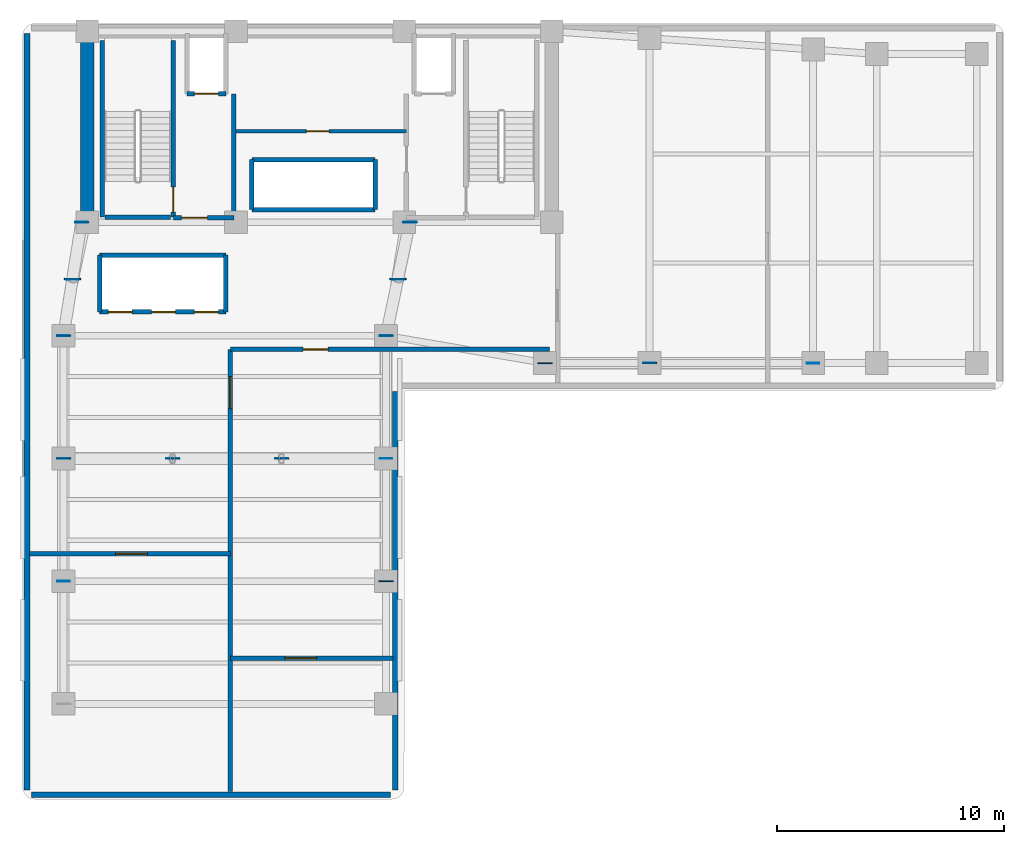
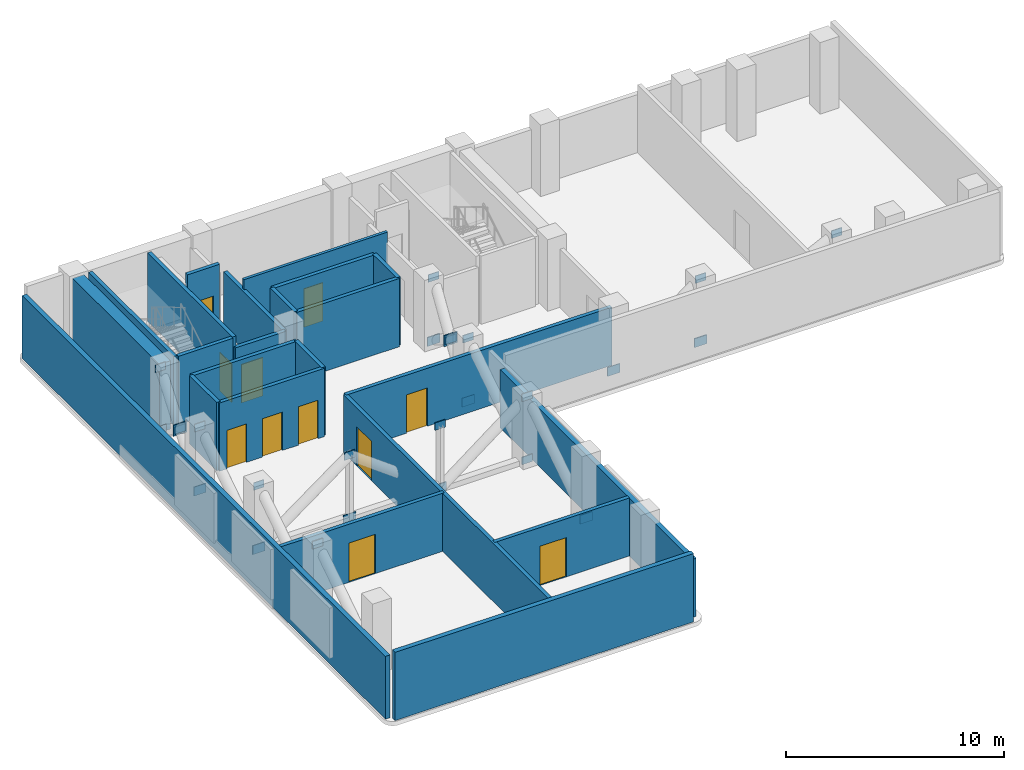
# One storey, part 4 of 6: 28 plates, 23 walls, 11 doors, 11 openings.
"""IFC4 building model written with IfcOpenShell, lengths in metres."""

import ifcopenshell
import ifcopenshell.guid

model = None  # the IFC model being written
_history = None  # IfcOwnerHistory: only IFC2X3 demands one
_inside = {}  # id of a spatial element -> (the spatial element, [elements in it])
_under = {}  # id of a project, library or spatial element -> (it, [spatial elements below it])
_declared = {}  # id of a project -> (the project, [libraries it declares])
_typed = {}  # id of a type object -> (the type object, [elements of that type])
_made_of = {}  # id of a material, layer set ... -> (it, [elements and type objects made of it])


def new_model(schema):
    """Start an empty IFC model of exactly this schema.

    Asked for "IFC4X3", IfcOpenShell would pick the latest addendum, in which some entities
    have other attributes; the version numbers below select the first issue.
    IFC2X3 requires an IfcOwnerHistory on every rooted entity: one is made here for all.
    """
    global model, _history
    if schema == "IFC4X3":
        model = ifcopenshell.file(schema_version=(4, 3, 0, 0))
    else:
        model = ifcopenshell.file(schema=schema)
    _inside.clear()
    _under.clear()
    _declared.clear()
    _typed.clear()
    _made_of.clear()
    _history = None
    if model.schema == "IFC2X3":
        org = make("IfcOrganization", Name="unknown")
        user = make(
            "IfcPersonAndOrganization",
            ThePerson=make("IfcPerson", FamilyName="unknown"),
            TheOrganization=org,
        )
        app = make(
            "IfcApplication",
            ApplicationDeveloper=org,
            Version="unknown",
            ApplicationFullName="unknown",
            ApplicationIdentifier="unknown",
        )
        _history = make(
            "IfcOwnerHistory",
            OwningUser=user,
            OwningApplication=app,
            ChangeAction="ADDED",
            CreationDate=0,
        )
    return model


def make(cls, **values):
    """One entity of the class cls with the attributes given. An attribute that is None is left unset."""
    return model.create_entity(
        cls, **{name: value for name, value in values.items() if value is not None}
    )


def rooted(cls, **values):
    """An entity with a GlobalId (a new one), such as an element, a storey or a relation."""
    return make(cls, GlobalId=ifcopenshell.guid.new(), OwnerHistory=_history, **values)


def si_unit(unit_type, name, prefix=None):
    """IfcSIUnit, for example si_unit("LENGTHUNIT", "METRE", prefix="MILLI")."""
    return make("IfcSIUnit", UnitType=unit_type, Prefix=prefix, Name=name)


def assignment(units):
    """IfcUnitAssignment: the units of a project."""
    return None if units is None else make("IfcUnitAssignment", Units=units)


def point(xyz):
    """IfcCartesianPoint."""
    return None if xyz is None else make("IfcCartesianPoint", Coordinates=xyz)


def direction(xyz):
    """IfcDirection."""
    return None if xyz is None else make("IfcDirection", DirectionRatios=xyz)


def frame(location, z_axis=None, x_axis=None):
    """IfcAxis2Placement3D, a coordinate frame: its origin and axes. An axis left out is left unset."""
    return make(
        "IfcAxis2Placement3D",
        Location=point(location),
        Axis=direction(z_axis),
        RefDirection=direction(x_axis),
    )


def frame_2d(location, x_axis=None):
    """IfcAxis2Placement2D, a coordinate frame in the plane: its origin and x axis."""
    return make(
        "IfcAxis2Placement2D", Location=point(location), RefDirection=direction(x_axis)
    )


def origin():
    """The frame at (0, 0, 0) with its axes left unset."""
    return frame((0.0, 0.0, 0.0))


def origin_2d():
    """The frame at (0, 0) in the plane with its x axis left unset."""
    return frame_2d((0.0, 0.0))


def place(relative_to, where):
    """IfcLocalPlacement: puts the frame where relative to a parent placement (None: the world)."""
    return make(
        "IfcLocalPlacement", PlacementRelTo=relative_to, RelativePlacement=where
    )


def context(
    kind, dimensions, precision=None, world=None, true_north=None, identifier=None
):
    """IfcGeometricRepresentationContext, for example the 3D "Model" context."""
    return make(
        "IfcGeometricRepresentationContext",
        ContextIdentifier=identifier,
        ContextType=kind,
        CoordinateSpaceDimension=dimensions,
        Precision=precision,
        WorldCoordinateSystem=world,
        TrueNorth=true_north,
    )


def subcontext(parent, identifier, kind, view, scale=None):
    """IfcGeometricRepresentationSubContext, for example "Body" below "Model"."""
    return make(
        "IfcGeometricRepresentationSubContext",
        ContextIdentifier=identifier,
        ContextType=kind,
        ParentContext=parent,
        TargetScale=scale,
        TargetView=view,
    )


def project(units=None, contexts=None):
    """IfcProject with its units and contexts."""
    return rooted(
        "IfcProject",
        Name="project",
        RepresentationContexts=contexts,
        UnitsInContext=assignment(units),
    )


def spatial(cls, under=None, at=None, **own):
    """A site, building, storey or space (cls), placed at a placement, below another one or the project."""
    s = rooted(cls, ObjectPlacement=at, **own)
    if under is not None:
        _under.setdefault(under.id(), (under, []))[1].append(s)
    return s


def profile(cls, at=None, kind="AREA", **sizes):
    """A parametric profile (cls). Its sizes go by their IFC names, for example OverallWidth=200.0."""
    return make(cls, ProfileType=kind, Position=at, **sizes)


def rectangle(**sizes):
    """IfcRectangleProfileDef."""
    return profile("IfcRectangleProfileDef", **sizes)


def extrude(swept, where, along, depth):
    """IfcExtrudedAreaSolid: the profile swept, set in the frame where, extruded along a direction by depth."""
    return make(
        "IfcExtrudedAreaSolid",
        SweptArea=swept,
        Position=where,
        ExtrudedDirection=direction(along),
        Depth=depth,
    )


def shape(context_of_items, identifier, shape_type, items):
    """IfcShapeRepresentation: the items that make up one representation, for example the "Body"."""
    return make(
        "IfcShapeRepresentation",
        ContextOfItems=context_of_items,
        RepresentationIdentifier=identifier,
        RepresentationType=shape_type,
        Items=items,
    )


def material(Name=None, Category=None):
    """IfcMaterial."""
    return make("IfcMaterial", Name=Name, Category=Category)


def layer(
    of_material, thickness, ventilated=None, Name=None, Category=None, Priority=None
):
    """IfcMaterialLayer: one layer of a wall or slab, of a material (None: an air gap)."""
    return make(
        "IfcMaterialLayer",
        Material=of_material,
        LayerThickness=thickness,
        IsVentilated=ventilated,
        Name=Name,
        Category=Category,
        Priority=Priority,
    )


def layer_set(layers, Name=None):
    """IfcMaterialLayerSet."""
    return make("IfcMaterialLayerSet", MaterialLayers=layers, LayerSetName=Name)


def made_of(thing, what):
    """Note that an element or type object is made of a material, layer set ...; save() writes the relation."""
    if what is not None:
        _made_of.setdefault(what.id(), (what, []))[1].append(thing)
    return thing


def type_object(cls, material=None, **own):
    """A type object (cls), such as IfcWallType, which elements share."""
    return made_of(rooted(cls, **own), material)


def element(
    cls,
    number,
    at=None,
    inside=None,
    cuts=None,
    type_object=None,
    material=None,
    context=None,
    identifier="Body",
    shape_type=None,
    held_by="IfcProductDefinitionShape",
    body=None,
    shapes=None,
    **own,
):
    """One element of the class cls, such as IfcWall. Its Tag is "e" and its number.

    at: its placement. inside: the storey or other place that contains it. cuts: it is an
    opening in that element (IfcRelVoidsElement). A single representation is given by context,
    identifier, shape_type and body (its items); several are given by shapes. held_by: the class
    of the entity that holds the representations. save() writes the other relations.
    """
    e = rooted(cls, Tag="e%d" % number, ObjectPlacement=at, **own)
    if body is not None:
        shapes = [shape(context, identifier, shape_type, body)]
    if shapes is not None:
        e.Representation = make(held_by, Representations=shapes)
    if inside is not None:
        _inside.setdefault(inside.id(), (inside, []))[1].append(e)
    if cuts is not None:
        rooted(
            "IfcRelVoidsElement", RelatingBuildingElement=cuts, RelatedOpeningElement=e
        )
    if type_object is not None:
        _typed.setdefault(type_object.id(), (type_object, []))[1].append(e)
    return made_of(e, material)


def fill(opening, filler):
    """IfcRelFillsElement: the door or window that sits in an opening."""
    return rooted(
        "IfcRelFillsElement",
        RelatingOpeningElement=opening,
        RelatedBuildingElement=filler,
    )


def aggregate(whole, parts):
    """IfcRelAggregates: a whole, such as a stair, and the parts it consists of."""
    return rooted("IfcRelAggregates", RelatingObject=whole, RelatedObjects=parts)


def save(model, path):
    """Write the relations noted so far, then the file.

    IfcRelAggregates (storeys below a building ...), IfcRelContainedInSpatialStructure (elements
    in a storey), IfcRelDefinesByType, IfcRelAssociatesMaterial and IfcRelDeclares: one each for
    every whole, place, type object, material and project.
    """
    for whole, parts in _under.values():
        aggregate(whole, parts)
    for where, things in _inside.values():
        rooted(
            "IfcRelContainedInSpatialStructure",
            RelatedElements=things,
            RelatingStructure=where,
        )
    for kind, things in _typed.values():
        rooted("IfcRelDefinesByType", RelatedObjects=things, RelatingType=kind)
    for what, things in _made_of.values():
        rooted("IfcRelAssociatesMaterial", RelatedObjects=things, RelatingMaterial=what)
    for by, libraries in _declared.values():
        rooted("IfcRelDeclares", RelatingContext=by, RelatedDefinitions=libraries)
    model.write(path)


model = new_model("IFC4")

# Units and contexts
model_context = context("Model", 3, precision=1e-05, world=origin(), true_north=direction((0.0, 1.0)))
body_context = subcontext(model_context, "Body", "Model", "MODEL_VIEW")
ifc_project = project(units=[si_unit("LENGTHUNIT", "METRE"), si_unit("AREAUNIT", "SQUARE_METRE"), si_unit("VOLUMEUNIT", "CUBIC_METRE"), si_unit("PLANEANGLEUNIT", "RADIAN"), si_unit("MASSUNIT", "GRAM", prefix="KILO")], contexts=[model_context])

# Site, building, storey
site_placement = place(None, origin())
site = spatial("IfcSite", under=ifc_project, at=site_placement, CompositionType="ELEMENT")
building_placement = place(site_placement, origin())
building = spatial("IfcBuilding", under=site, at=building_placement, Name="Kuzgunbayir Cultural Tower", CompositionType="ELEMENT")
storey_placement = place(building_placement, frame((0.0, 0.0, 156.0)))
storey = spatial("IfcBuildingStorey", under=building, at=storey_placement, Name="L45", CompositionType="ELEMENT", Elevation=156.0)

# Plates
ifc_material_1 = material(Name="Steel S460M", Category="steel")
ifc_layer_1 = layer(ifc_material_1, 0.034912109375)
ifc_layer_set_1 = layer_set([ifc_layer_1], Name="Steel S460M")
plate_type_1 = type_object("IfcPlateType", Name="PLT-CAP-END-35", PredefinedType="USERDEFINED", material=ifc_layer_set_1)
for number, where, z_axis, x_axis, name in (
    (1, (5.800048828125, 31.280029296875, 1.66015625), (0.0, 0.0, 1.0), (1.0, 0.0, 0.0), "L45 Hollow End Cap Plate ONT-L45-XW-B1 End"),
    (2, (6.199951171875, 33.800048828125, 3.43994140625), (0.0, 0.0, 1.0), (1.0, 0.0, 0.0), "L45 Hollow End Cap Plate ONT-L45-XW-B2 End"),
    (3, (20.1201171875, 31.280029296875, 1.66015625), (0.0, 0.0, 1.0), (1.0, 0.0, 0.0), "L45 Hollow End Cap Plate ONT-L45-XE-B1 End"),
    (4, (20.64990234375, 33.800048828125, 3.43994140625), (0.0, 0.0, 1.0), (1.0, 0.0, 0.0), "L45 Hollow End Cap Plate ONT-L45-XE-B2 End"),
    (5, (5.39990234375, 23.39990234375, 3.43994140625), (0.0, 0.0, 1.0), (1.0, 0.0, 0.0), "L45 Hollow End Cap Plate ONT-L45-1 End"),
    (6, (19.60009765625, 23.39990234375, 3.43994140625), (0.0, 0.0, 1.0), (1.0, 0.0, 0.0), "L45 Hollow End Cap Plate ONT-L45-3 End"),
    (7, (31.199951171875, 27.60009765625, 3.43994140625), (0.0, 0.0, 1.0), (1.0, 0.0, 0.0), "L45 Hollow End Cap Plate ONT-L45-9 End"),
):
    element("IfcPlate", number, at=place(storey_placement, frame(where, z_axis=z_axis, x_axis=x_axis)), inside=storey, type_object=plate_type_1, Name=name, ObjectType="END_CAP_PLATE", PredefinedType="USERDEFINED", context=body_context, shape_type="SweptSolid", body=[
        extrude(rectangle(XDim=0.550048828125, YDim=0.034912109375, at=origin_2d()), origin(), (0.0, 0.0, 1.0), 0.419921875),
    ])
ifc_layer_2 = layer(ifc_material_1, 0.0400390625)
ifc_layer_set_2 = layer_set([ifc_layer_2], Name="Steel S460M")
plate_type_2 = type_object("IfcPlateType", Name="PLT-CAP-END-40", PredefinedType="USERDEFINED", material=ifc_layer_set_2)
for number, where, z_axis, x_axis, name in (
    (8, (19.60009765625, 23.39990234375, -0.08984375), (0.0, 0.0, 1.0), (1.0, 0.0, 0.0), "L45 Hollow End Cap Plate CHD-L45 End"),
    (9, (10.199951171875, 23.39990234375, 3.43994140625), (0.0, 0.0, 1.0), (1.0, 0.0, 0.0), "L45 Hollow End Cap Plate STR-L45-10 End"),
    (10, (15.0, 23.39990234375, 3.43994140625), (0.0, 0.0, 1.0), (1.0, 0.0, 0.0), "L45 Hollow End Cap Plate STR-L45-15 End"),
    (11, (5.39990234375, 28.800048828125, 3.43994140625), (0.0, 0.0, 1.0), (1.0, 0.0, 0.0), "L45 Hollow End Cap Plate ONT-L45-XW-A End"),
    (12, (19.60009765625, 28.800048828125, 3.43994140625), (0.0, 0.0, 1.0), (1.0, 0.0, 0.0), "L45 Hollow End Cap Plate ONT-L45-XE-A End"),
    (13, (5.39990234375, 18.0, 3.43994140625), (0.0, 0.0, 1.0), (1.0, 0.0, 0.0), "L45 Hollow End Cap Plate ONT-L45-8 End"),
    (14, (38.39990234375, 27.60009765625, 3.43994140625), (0.0, 0.0, 1.0), (1.0, 0.0, 0.0), "L45 Hollow End Cap Plate ONT-L45-10 End"),
):
    element("IfcPlate", number, at=place(storey_placement, frame(where, z_axis=z_axis, x_axis=x_axis)), inside=storey, type_object=plate_type_2, Name=name, ObjectType="END_CAP_PLATE", PredefinedType="USERDEFINED", context=body_context, shape_type="SweptSolid", body=[
        extrude(rectangle(XDim=0.550048828125, YDim=0.0400390625, at=origin_2d()), origin(), (0.0, 0.0, 1.0), 0.419921875),
    ])
ifc_layer_3 = layer(ifc_material_1, 0.044921875)
ifc_layer_set_3 = layer_set([ifc_layer_3], Name="Steel S460M")
plate_type_3 = type_object("IfcPlateType", Name="PLT-NODE-GUSSET-45", PredefinedType="USERDEFINED", material=ifc_layer_set_3)
for number, where, z_axis, x_axis, name in (
    (15, (5.39990234375, 28.800048828125, -0.1298828125), (0.0, 0.0, 1.0), (1.0, 0.0, 0.0), "L45 Truss Gusset Plate ONT-L45-XW-B1 Start"),
    (16, (5.800048828125, 31.320068359375, 1.639892578125), (0.0, 0.0, 1.0), (1.0, 0.0, 0.0), "L45 Truss Gusset Plate ONT-L45-XW-B2 Start"),
    (17, (19.60009765625, 28.800048828125, -0.1298828125), (0.0, 0.0, 1.0), (1.0, 0.0, 0.0), "L45 Truss Gusset Plate ONT-L45-XE-B1 Start"),
    (18, (20.1201171875, 31.320068359375, 1.639892578125), (0.0, 0.0, 1.0), (1.0, 0.0, 0.0), "L45 Truss Gusset Plate ONT-L45-XE-B2 Start"),
    (19, (19.60009765625, 18.0, -0.1298828125), (0.0, 0.0, 1.0), (1.0, 0.0, 0.0), "L45 Truss Gusset Plate ONT-L45-3 Start"),
    (20, (26.60009765625, 27.60009765625, -0.1298828125), (0.0, 0.0, 1.0), (1.0, 0.0, 0.0), "L45 Truss Gusset Plate ONT-L45-9 Start"),
):
    element("IfcPlate", number, at=place(storey_placement, frame(where, z_axis=z_axis, x_axis=x_axis)), inside=storey, type_object=plate_type_3, Name=name, ObjectType="GUSSET_PLATE", PredefinedType="USERDEFINED", context=body_context, shape_type="SweptSolid", body=[
        extrude(rectangle(XDim=0.64990234375, YDim=0.044921875, at=origin_2d()), origin(), (0.0, 0.0, 1.0), 0.5),
    ])
ifc_layer_4 = layer(ifc_material_1, 0.050048828125)
ifc_layer_set_4 = layer_set([ifc_layer_4], Name="Steel S460M")
plate_type_4 = type_object("IfcPlateType", Name="PLT-NODE-GUSSET-50", PredefinedType="USERDEFINED", material=ifc_layer_set_4)
for number, where, z_axis, x_axis, name in (
    (21, (5.39990234375, 23.39990234375, -0.1298828125), (0.0, 0.0, 1.0), (1.0, 0.0, 0.0), "L45 Truss Gusset Plate CHD-L45 Start"),
    (22, (10.199951171875, 23.39990234375, -0.1298828125), (0.0, 0.0, 1.0), (1.0, 0.0, 0.0), "L45 Truss Gusset Plate STR-L45-10 Start"),
    (23, (15.0, 23.39990234375, -0.1298828125), (0.0, 0.0, 1.0), (1.0, 0.0, 0.0), "L45 Truss Gusset Plate STR-L45-15 Start"),
    (24, (6.199951171875, 33.800048828125, -0.1298828125), (0.0, 0.0, 1.0), (1.0, 0.0, 0.0), "L45 Truss Gusset Plate ONT-L45-XW-A Start"),
):
    element("IfcPlate", number, at=place(storey_placement, frame(where, z_axis=z_axis, x_axis=x_axis)), inside=storey, type_object=plate_type_4, Name=name, ObjectType="GUSSET_PLATE", PredefinedType="USERDEFINED", context=body_context, shape_type="SweptSolid", body=[
        extrude(rectangle(XDim=0.64990234375, YDim=0.050048828125, at=origin_2d()), origin(), (0.0, 0.0, 1.0), 0.5),
    ])
plate_1_placement = place(storey_placement, frame((5.800048828125, 31.300048828125, 1.56982421875), z_axis=(0.0, 0.0, 1.0), x_axis=(1.0, 0.0, 0.0)))
element("IfcPlate", 25, at=plate_1_placement, inside=storey, type_object=plate_type_4, Name="L45 X-Brace Central Crossing Gusset Plate ONT-L45-XW", ObjectType="GUSSET_PLATE", PredefinedType="USERDEFINED", context=body_context, shape_type="SweptSolid", body=[
    extrude(rectangle(XDim=0.719970703125, YDim=0.050048828125, at=origin_2d()), origin(), (0.0, 0.0, 1.0), 0.6201171875),
])
plate_2_placement = place(storey_placement, frame((20.64990234375, 33.800048828125, -0.1298828125), z_axis=(0.0, 0.0, 1.0), x_axis=(1.0, 0.0, 0.0)))
element("IfcPlate", 26, at=plate_2_placement, inside=storey, type_object=plate_type_4, Name="L45 Truss Gusset Plate ONT-L45-XE-A Start", ObjectType="GUSSET_PLATE", PredefinedType="USERDEFINED", context=body_context, shape_type="SweptSolid", body=[
    extrude(rectangle(XDim=0.64990234375, YDim=0.050048828125, at=origin_2d()), origin(), (0.0, 0.0, 1.0), 0.5),
])
plate_3_placement = place(storey_placement, frame((20.1201171875, 31.300048828125, 1.56982421875), z_axis=(0.0, 0.0, 1.0), x_axis=(1.0, 0.0, 0.0)))
element("IfcPlate", 27, at=plate_3_placement, inside=storey, type_object=plate_type_4, Name="L45 X-Brace Central Crossing Gusset Plate ONT-L45-XE", ObjectType="GUSSET_PLATE", PredefinedType="USERDEFINED", context=body_context, shape_type="SweptSolid", body=[
    extrude(rectangle(XDim=0.719970703125, YDim=0.050048828125, at=origin_2d()), origin(), (0.0, 0.0, 1.0), 0.6201171875),
])
plate_4_placement = place(storey_placement, frame((31.199951171875, 27.60009765625, -0.1298828125), z_axis=(0.0, 0.0, 1.0), x_axis=(1.0, 0.0, 0.0)))
element("IfcPlate", 28, at=plate_4_placement, inside=storey, type_object=plate_type_4, Name="L45 Truss Gusset Plate ONT-L45-10 Start", ObjectType="GUSSET_PLATE", PredefinedType="USERDEFINED", context=body_context, shape_type="SweptSolid", body=[
    extrude(rectangle(XDim=0.64990234375, YDim=0.050048828125, at=origin_2d()), origin(), (0.0, 0.0, 1.0), 0.5),
])

# Walls
ifc_material_2 = material(Name="Concrete C60/75", Category="concrete")
ifc_layer_5 = layer(ifc_material_2, 0.60009765625)
ifc_layer_set_5 = layer_set([ifc_layer_5], Name="Concrete C60/75")
wall_type_1 = type_object("IfcWallType", Name="WAL-CORE-600", PredefinedType="SHEAR", material=ifc_layer_set_5)
wall_1_placement = place(storey_placement, frame((6.449951171875, 33.800048828125, 0.0), z_axis=(0.0, 0.0, 1.0), x_axis=(0.0, 1.0, 0.0)))
element("IfcWall", 29, at=wall_1_placement, inside=storey, type_object=wall_type_1, Name="L45 T1 Core West Shear Wall", PredefinedType="SHEAR", context=body_context, shape_type="SweptSolid", body=[
    extrude(rectangle(XDim=7.949951171875, YDim=0.60009765625, at=frame_2d((3.97509765625, 0.0))), origin(), (0.0, 0.0, 1.0), 3.820068359375),
])
ifc_material_3 = material(Name="Concrete C40/50", Category="concrete")
ifc_layer_6 = layer(ifc_material_3, 0.25)
ifc_layer_set_6 = layer_set([ifc_layer_6], Name="Concrete C40/50")
wall_type_2 = type_object("IfcWallType", Name="WAL-EXT-PLANT-250", PredefinedType="STANDARD", material=ifc_layer_set_6)
wall_2_placement = place(storey_placement, frame((4.0, 8.60009765625, 0.0), z_axis=(0.0, 0.0, 1.0), x_axis=(1.0, 0.0, 0.0)))
element("IfcWall", 30, at=wall_2_placement, inside=storey, type_object=wall_type_2, Name="L45 Wing A South Limestone Wall", PredefinedType="STANDARD", context=body_context, shape_type="SweptSolid", body=[
    extrude(rectangle(XDim=15.800048828125, YDim=0.25, at=frame_2d((7.89990234375, 0.0))), origin(), (0.0, 0.0, 1.0), 3.820068359375),
])
wall_3_placement = place(storey_placement, frame((3.800048828125, 42.10009765625, 0.0), z_axis=(0.0, 0.0, 1.0), x_axis=(0.0, -1.0, 0.0)))
element("IfcWall", 31, at=wall_3_placement, inside=storey, type_object=wall_type_2, Name="L45 Wing A West Limestone Wall", PredefinedType="STANDARD", context=body_context, shape_type="SweptSolid", body=[
    extrude(rectangle(XDim=33.300048828125, YDim=0.25, at=frame_2d((16.64990234375, 0.0))), origin(), (0.0, 0.0, 1.0), 3.510009765625),
])
wall_4_placement = place(storey_placement, frame((20.0, 8.800048828125, 0.0), z_axis=(0.0, 0.0, 1.0), x_axis=(0.0, 1.0, 0.0)))
element("IfcWall", 32, at=wall_4_placement, inside=storey, type_object=wall_type_2, Name="L45 Wing A East Limestone Wall", PredefinedType="STANDARD", context=body_context, shape_type="SweptSolid", body=[
    extrude(rectangle(XDim=17.550048828125, YDim=0.25, at=frame_2d((8.77490234375, 0.0))), origin(), (0.0, 0.0, 1.0), 3.25),
])

# Wall, opening, door
ifc_material_4 = material(Name="Acoustic Double-Stud Drywall", Category="gypsum")
ifc_layer_7 = layer(ifc_material_4, 0.14990234375)
ifc_layer_set_7 = layer_set([ifc_layer_7], Name="Acoustic Double-Stud Drywall")
wall_type_3 = type_object("IfcWallType", Name="WAL-PART-ACOUSTIC-150", PredefinedType="PARTITIONING", material=ifc_layer_set_7)
wall_5_placement = place(storey_placement, frame((12.89990234375, 37.800048828125, 0.0), z_axis=(0.0, 0.0, 1.0), x_axis=(1.0, 0.0, 0.0)))
wall_5 = element("IfcWall", 33, at=wall_5_placement, inside=storey, type_object=wall_type_3, Name="L45 Repurposed Core Suite Wall", PredefinedType="PARTITIONING", context=body_context, shape_type="SweptSolid", body=[
    extrude(rectangle(XDim=7.60009765625, YDim=0.14990234375, at=frame_2d((3.800048828125, 0.0))), origin(), (0.0, 0.0, 1.0), 3.820068359375),
])
opening_1_placement = place(wall_5_placement, frame((3.199951171875, 0.0, 0.0)))
opening_1 = element("IfcOpeningElement", 34, at=opening_1_placement, cuts=wall_5, Name="Opening DC-100", PredefinedType="OPENING", context=body_context, shape_type="SweptSolid", body=[
    extrude(rectangle(XDim=1.0, YDim=2.14990234375, at=frame_2d((0.5, 1.074951171875))), frame((0.0, 0.0849609375, 0.0), z_axis=(0.0, -1.0, 0.0), x_axis=(1.0, 0.0, 0.0)), (0.0, 0.0, 1.0), 0.169921875),
])
ifc_material_5 = material(Name="Fire-Rated Veneered Oak Leaf", Category="wood")
door_type_1 = type_object("IfcDoorType", Name="DR-CORE-100", OperationType="NOTDEFINED", PredefinedType="DOOR", material=ifc_material_5)
door_1_placement = place(opening_1_placement, origin())
door_1 = element("IfcDoor", 35, at=door_1_placement, inside=storey, type_object=door_type_1, Name="L45 Core Reading Salon Door", OperationType="SINGLE_SWING_LEFT", OverallHeight=2.14990234375, OverallWidth=1.0, PredefinedType="DOOR", context=body_context, shape_type="SweptSolid", body=[
    extrude(rectangle(XDim=1.0, YDim=2.14990234375, at=frame_2d((0.5, 1.074951171875))), frame((0.0, 0.02490234375, 0.0), z_axis=(0.0, -1.0, 0.0), x_axis=(1.0, 0.0, 0.0)), (0.0, 0.0, 1.0), 0.050048828125),
])
fill(opening_1, door_1)

# Wall
ifc_material_6 = material(Name="Aerated Concrete Blockwork", Category="masonry")
ifc_layer_8 = layer(ifc_material_6, 0.199951171875)
ifc_layer_set_8 = layer_set([ifc_layer_8], Name="Aerated Concrete Blockwork")
wall_type_4 = type_object("IfcWallType", Name="WAL-PART-FIRE-200", PredefinedType="PARTITIONING", material=ifc_layer_set_8)
wall_6_placement = place(storey_placement, frame((12.89990234375, 34.0, 0.0), z_axis=(0.0, 0.0, 1.0), x_axis=(0.0, 1.0, 0.0)))
element("IfcWall", 36, at=wall_6_placement, inside=storey, type_object=wall_type_4, Name="L45 FFL-1 Lobby East Fire Wall", PredefinedType="PARTITIONING", context=body_context, shape_type="SweptSolid", body=[
    extrude(rectangle(XDim=5.449951171875, YDim=0.199951171875, at=frame_2d((2.72509765625, 0.0))), origin(), (0.0, 0.0, 1.0), 3.25),
])

# Wall, opening, door
wall_7_placement = place(storey_placement, frame((10.239990234375, 34.0, 0.0), z_axis=(0.0, 0.0, 1.0), x_axis=(1.0, 0.0, 0.0)))
wall_7 = element("IfcWall", 37, at=wall_7_placement, inside=storey, type_object=wall_type_4, Name="L45 FFL-1 Lobby South Fire Wall", PredefinedType="PARTITIONING", context=body_context, shape_type="SweptSolid", body=[
    extrude(rectangle(XDim=2.659912109375, YDim=0.199951171875, at=frame_2d((1.330078125, 0.0))), origin(), (0.0, 0.0, 1.0), 3.25),
])
opening_2_placement = place(wall_7_placement, frame((0.35009765625, 0.0, 0.0)))
opening_2 = element("IfcOpeningElement", 38, at=opening_2_placement, cuts=wall_7, Name="Opening DR-FFL-90", PredefinedType="OPENING", context=body_context, shape_type="SweptSolid", body=[
    extrude(rectangle(XDim=1.14990234375, YDim=2.14990234375, at=frame_2d((0.574951171875, 1.074951171875))), frame((0.0, 0.10986328125, 0.0), z_axis=(0.0, -1.0, 0.0), x_axis=(1.0, 0.0, 0.0)), (0.0, 0.0, 1.0), 0.219970703125),
])
ifc_material_7 = material(Name="Steel S355J2", Category="steel")
door_type_2 = type_object("IfcDoorType", Name="DR-FFL-90", OperationType="NOTDEFINED", PredefinedType="DOOR", material=ifc_material_7)
door_2_placement = place(opening_2_placement, origin())
door_2 = element("IfcDoor", 39, at=door_2_placement, inside=storey, type_object=door_type_2, Name="L45 Firefighting Lobby 1 Door", OperationType="SINGLE_SWING_LEFT", OverallHeight=2.14990234375, OverallWidth=1.14990234375, PredefinedType="DOOR", context=body_context, shape_type="SweptSolid", body=[
    extrude(rectangle(XDim=1.14990234375, YDim=2.14990234375, at=frame_2d((0.574951171875, 1.074951171875))), frame((0.0, 0.02490234375, 0.0), z_axis=(0.0, -1.0, 0.0), x_axis=(1.0, 0.0, 0.0)), (0.0, 0.0, 1.0), 0.050048828125),
])
fill(opening_2, door_2)

wall_8_placement = place(storey_placement, frame((12.75, 28.199951171875, 0.0), z_axis=(0.0, 0.0, 1.0), x_axis=(1.0, 0.0, 0.0)))
wall_8 = element("IfcWall", 40, at=wall_8_placement, inside=storey, type_object=wall_type_4, Name="L45 Plant Corridor South Fire Wall", PredefinedType="PARTITIONING", context=body_context, shape_type="SweptSolid", body=[
    extrude(rectangle(XDim=14.050048828125, YDim=0.199951171875, at=frame_2d((7.02490234375, 0.0))), origin(), (0.0, 0.0, 1.0), 3.25),
])
opening_3_placement = place(wall_8_placement, frame((3.199951171875, 0.0, 0.0)))
opening_3 = element("IfcOpeningElement", 41, at=opening_3_placement, cuts=wall_8, Name="Opening DR-STAIR-90", PredefinedType="OPENING", context=body_context, shape_type="SweptSolid", body=[
    extrude(rectangle(XDim=1.10009765625, YDim=2.14990234375, at=frame_2d((0.550048828125, 1.074951171875))), frame((0.0, 0.10986328125, 0.0), z_axis=(0.0, -1.0, 0.0), x_axis=(1.0, 0.0, 0.0)), (0.0, 0.0, 1.0), 0.219970703125),
])
door_type_3 = type_object("IfcDoorType", Name="DR-STAIR-90", OperationType="NOTDEFINED", PredefinedType="DOOR", material=ifc_material_7)
door_3_placement = place(opening_3_placement, origin())
door_3 = element("IfcDoor", 42, at=door_3_placement, inside=storey, type_object=door_type_3, Name="L45 Sky Refuge Entry Door", OperationType="SINGLE_SWING_RIGHT", OverallHeight=2.14990234375, OverallWidth=1.10009765625, PredefinedType="DOOR", context=body_context, shape_type="SweptSolid", body=[
    extrude(rectangle(XDim=1.10009765625, YDim=2.14990234375, at=frame_2d((0.550048828125, 1.074951171875))), frame((0.0, 0.02490234375, 0.0), z_axis=(0.0, -1.0, 0.0), x_axis=(1.0, 0.0, 0.0)), (0.0, 0.0, 1.0), 0.050048828125),
])
fill(opening_3, door_3)

wall_9_placement = place(storey_placement, frame((12.75, 8.75, 0.0), z_axis=(0.0, 0.0, 1.0), x_axis=(0.0, 1.0, 0.0)))
wall_9 = element("IfcWall", 43, at=wall_9_placement, inside=storey, type_object=wall_type_4, Name="L45 Refuge Area West Fire Wall", PredefinedType="PARTITIONING", context=body_context, shape_type="SweptSolid", body=[
    extrude(rectangle(XDim=19.449951171875, YDim=0.199951171875, at=frame_2d((9.72509765625, 0.0))), origin(), (0.0, 0.0, 1.0), 3.25),
])
opening_4_placement = place(wall_9_placement, frame((16.85009765625, 0.0, 0.0)))
opening_4 = element("IfcOpeningElement", 44, at=opening_4_placement, cuts=wall_9, Name="Opening DR-PLANT-90", PredefinedType="OPENING", context=body_context, shape_type="SweptSolid", body=[
    extrude(rectangle(XDim=1.39990234375, YDim=2.199951171875, at=frame_2d((0.699951171875, 1.10009765625))), frame((0.0, 0.10986328125, 0.0), z_axis=(0.0, -1.0, 0.0), x_axis=(1.0, 0.0, 0.0)), (0.0, 0.0, 1.0), 0.219970703125),
])
ifc_material_8 = material(Name="Acoustic Steel Double Leaf", Category="steel")
door_type_4 = type_object("IfcDoorType", Name="DR-PLANT-90", OperationType="DOUBLE_DOOR_SINGLE_SWING", PredefinedType="DOOR", material=ifc_material_8)
door_4_placement = place(opening_4_placement, origin())
door_4 = element("IfcDoor", 45, at=door_4_placement, inside=storey, type_object=door_type_4, Name="L45 North AHU Plant Door", OperationType="DOUBLE_DOOR_SINGLE_SWING", OverallHeight=2.199951171875, OverallWidth=1.39990234375, PredefinedType="DOOR", context=body_context, shape_type="SweptSolid", body=[
    extrude(rectangle(XDim=1.39990234375, YDim=2.199951171875, at=frame_2d((0.699951171875, 1.10009765625))), frame((0.0, 0.02490234375, 0.0), z_axis=(0.0, -1.0, 0.0), x_axis=(1.0, 0.0, 0.0)), (0.0, 0.0, 1.0), 0.050048828125),
])
fill(opening_4, door_4)

wall_10_placement = place(storey_placement, frame((12.75, 14.60009765625, 0.0), z_axis=(0.0, 0.0, 1.0), x_axis=(1.0, 0.0, 0.0)))
wall_10 = element("IfcWall", 46, at=wall_10_placement, inside=storey, type_object=wall_type_4, Name="L45 South Plant Fire Wall", PredefinedType="PARTITIONING", context=body_context, shape_type="SweptSolid", body=[
    extrude(rectangle(XDim=7.14990234375, YDim=0.199951171875, at=frame_2d((3.574951171875, 0.0))), origin(), (0.0, 0.0, 1.0), 3.25),
])
opening_5_placement = place(wall_10_placement, frame((2.39990234375, 0.0, 0.0)))
opening_5 = element("IfcOpeningElement", 47, at=opening_5_placement, cuts=wall_10, Name="Opening DR-PLANT-90", PredefinedType="OPENING", context=body_context, shape_type="SweptSolid", body=[
    extrude(rectangle(XDim=1.39990234375, YDim=2.199951171875, at=frame_2d((0.699951171875, 1.10009765625))), frame((0.0, 0.10986328125, 0.0), z_axis=(0.0, -1.0, 0.0), x_axis=(1.0, 0.0, 0.0)), (0.0, 0.0, 1.0), 0.219970703125),
])
door_5_placement = place(opening_5_placement, origin())
door_5 = element("IfcDoor", 48, at=door_5_placement, inside=storey, type_object=door_type_4, Name="L45 Electrical Plant Door", OperationType="DOUBLE_DOOR_SINGLE_SWING", OverallHeight=2.199951171875, OverallWidth=1.39990234375, PredefinedType="DOOR", context=body_context, shape_type="SweptSolid", body=[
    extrude(rectangle(XDim=1.39990234375, YDim=2.199951171875, at=frame_2d((0.699951171875, 1.10009765625))), frame((0.0, 0.02490234375, 0.0), z_axis=(0.0, -1.0, 0.0), x_axis=(1.0, 0.0, 0.0)), (0.0, 0.0, 1.0), 0.050048828125),
])
fill(opening_5, door_5)

wall_11_placement = place(storey_placement, frame((3.89990234375, 19.199951171875, 0.0), z_axis=(0.0, 0.0, 1.0), x_axis=(1.0, 0.0, 0.0)))
wall_11 = element("IfcWall", 49, at=wall_11_placement, inside=storey, type_object=wall_type_4, Name="L45 West Plant Sub-Compartment Wall", PredefinedType="PARTITIONING", context=body_context, shape_type="SweptSolid", body=[
    extrude(rectangle(XDim=8.85009765625, YDim=0.199951171875, at=frame_2d((4.425048828125, 0.0))), origin(), (0.0, 0.0, 1.0), 3.25),
])
opening_6_placement = place(wall_11_placement, frame((3.800048828125, 0.0, 0.0)))
opening_6 = element("IfcOpeningElement", 50, at=opening_6_placement, cuts=wall_11, Name="Opening DR-PLANT-90", PredefinedType="OPENING", context=body_context, shape_type="SweptSolid", body=[
    extrude(rectangle(XDim=1.39990234375, YDim=2.199951171875, at=frame_2d((0.699951171875, 1.10009765625))), frame((0.0, 0.10986328125, 0.0), z_axis=(0.0, -1.0, 0.0), x_axis=(1.0, 0.0, 0.0)), (0.0, 0.0, 1.0), 0.219970703125),
])
door_6_placement = place(opening_6_placement, origin())
door_6 = element("IfcDoor", 51, at=door_6_placement, inside=storey, type_object=door_type_4, Name="L45 South Plant Sub-Compartment Door", OperationType="DOUBLE_DOOR_SINGLE_SWING", OverallHeight=2.199951171875, OverallWidth=1.39990234375, PredefinedType="DOOR", context=body_context, shape_type="SweptSolid", body=[
    extrude(rectangle(XDim=1.39990234375, YDim=2.199951171875, at=frame_2d((0.699951171875, 1.10009765625))), frame((0.0, 0.02490234375, 0.0), z_axis=(0.0, -1.0, 0.0), x_axis=(1.0, 0.0, 0.0)), (0.0, 0.0, 1.0), 0.050048828125),
])
fill(opening_6, door_6)

# Wall, openings, doors
ifc_layer_9 = layer(ifc_material_3, 0.199951171875)
ifc_layer_set_9 = layer_set([ifc_layer_9], Name="Concrete C40/50")
wall_type_5 = type_object("IfcWallType", Name="WAL-SHAFT-200", PredefinedType="MOVABLE", material=ifc_layer_set_9)
wall_12_placement = place(storey_placement, frame((7.0, 29.85009765625, 0.0), z_axis=(0.0, 0.0, 1.0), x_axis=(1.0, 0.0, 0.0)))
wall_12 = element("IfcWall", 52, at=wall_12_placement, inside=storey, type_object=wall_type_5, Name="L45 High-Rise Lift Shaft South Wall", PredefinedType="MOVABLE", context=body_context, shape_type="SweptSolid", body=[
    extrude(rectangle(XDim=5.550048828125, YDim=0.199951171875, at=frame_2d((2.77490234375, 0.0))), origin(), (0.0, 0.0, 1.0), 3.820068359375),
])
opening_7_placement = place(wall_12_placement, frame((0.3798828125, 0.0, 0.0)))
opening_7 = element("IfcOpeningElement", 53, at=opening_7_placement, cuts=wall_12, Name="Opening LD", PredefinedType="OPENING", context=body_context, shape_type="SweptSolid", body=[
    extrude(rectangle(XDim=1.050048828125, YDim=2.14990234375, at=frame_2d((0.52490234375, 1.074951171875))), frame((0.0, 0.10986328125, 0.0), z_axis=(0.0, -1.0, 0.0), x_axis=(1.0, 0.0, 0.0)), (0.0, 0.0, 1.0), 0.219970703125),
])
opening_8_placement = place(wall_12_placement, frame((2.280029296875, 0.0, 0.0)))
opening_8 = element("IfcOpeningElement", 54, at=opening_8_placement, cuts=wall_12, Name="Opening LD", PredefinedType="OPENING", context=body_context, shape_type="SweptSolid", body=[
    extrude(rectangle(XDim=1.050048828125, YDim=2.14990234375, at=frame_2d((0.52490234375, 1.074951171875))), frame((0.0, 0.10986328125, 0.0), z_axis=(0.0, -1.0, 0.0), x_axis=(1.0, 0.0, 0.0)), (0.0, 0.0, 1.0), 0.219970703125),
])
opening_9_placement = place(wall_12_placement, frame((4.169921875, 0.0, 0.0)))
opening_9 = element("IfcOpeningElement", 55, at=opening_9_placement, cuts=wall_12, Name="Opening LD", PredefinedType="OPENING", context=body_context, shape_type="SweptSolid", body=[
    extrude(rectangle(XDim=1.050048828125, YDim=2.14990234375, at=frame_2d((0.52490234375, 1.074951171875))), frame((0.0, 0.10986328125, 0.0), z_axis=(0.0, -1.0, 0.0), x_axis=(1.0, 0.0, 0.0)), (0.0, 0.0, 1.0), 0.219970703125),
])
ifc_material_9 = material(Name="Brushed Stainless Steel", Category="steel")
door_type_5 = type_object("IfcDoorType", Name="DR-LIFT-LANDING", OperationType="SLIDING_TO_LEFT", PredefinedType="DOOR", material=ifc_material_9)
door_7_placement = place(opening_7_placement, origin())
door_7 = element("IfcDoor", 56, at=door_7_placement, inside=storey, type_object=door_type_5, Name="L45 Lift PH-1 Landing Door", OperationType="SLIDING_TO_LEFT", OverallHeight=2.14990234375, OverallWidth=1.050048828125, PredefinedType="DOOR", context=body_context, shape_type="SweptSolid", body=[
    extrude(rectangle(XDim=1.050048828125, YDim=2.14990234375, at=frame_2d((0.52490234375, 1.074951171875))), frame((0.0, 0.02490234375, 0.0), z_axis=(0.0, -1.0, 0.0), x_axis=(1.0, 0.0, 0.0)), (0.0, 0.0, 1.0), 0.050048828125),
])
fill(opening_7, door_7)
door_8_placement = place(opening_8_placement, origin())
door_8 = element("IfcDoor", 57, at=door_8_placement, inside=storey, type_object=door_type_5, Name="L45 Lift PH-2 Landing Door", OperationType="SLIDING_TO_LEFT", OverallHeight=2.14990234375, OverallWidth=1.050048828125, PredefinedType="DOOR", context=body_context, shape_type="SweptSolid", body=[
    extrude(rectangle(XDim=1.050048828125, YDim=2.14990234375, at=frame_2d((0.52490234375, 1.074951171875))), frame((0.0, 0.02490234375, 0.0), z_axis=(0.0, -1.0, 0.0), x_axis=(1.0, 0.0, 0.0)), (0.0, 0.0, 1.0), 0.050048828125),
])
fill(opening_8, door_8)
door_9_placement = place(opening_9_placement, origin())
door_9 = element("IfcDoor", 58, at=door_9_placement, inside=storey, type_object=door_type_5, Name="L45 Lift PH-3 Landing Door", OperationType="SLIDING_TO_LEFT", OverallHeight=2.14990234375, OverallWidth=1.050048828125, PredefinedType="DOOR", context=body_context, shape_type="SweptSolid", body=[
    extrude(rectangle(XDim=1.050048828125, YDim=2.14990234375, at=frame_2d((0.52490234375, 1.074951171875))), frame((0.0, 0.02490234375, 0.0), z_axis=(0.0, -1.0, 0.0), x_axis=(1.0, 0.0, 0.0)), (0.0, 0.0, 1.0), 0.050048828125),
])
fill(opening_9, door_9)

# Walls
wall_13_placement = place(storey_placement, frame((7.0, 32.35009765625, 0.0), z_axis=(0.0, 0.0, 1.0), x_axis=(1.0, 0.0, 0.0)))
element("IfcWall", 59, at=wall_13_placement, inside=storey, type_object=wall_type_5, Name="L45 High-Rise Lift Shaft North Wall", PredefinedType="MOVABLE", context=body_context, shape_type="SweptSolid", body=[
    extrude(rectangle(XDim=5.550048828125, YDim=0.199951171875, at=frame_2d((2.77490234375, 0.0))), origin(), (0.0, 0.0, 1.0), 3.820068359375),
])
for number, where, z_axis, x_axis, name in (
    (60, (7.0, 29.85009765625, 0.0), (0.0, 0.0, 1.0), (0.0, 1.0, 0.0), "L45 High-Rise Lift Shaft West Wall"),
    (61, (12.550048828125, 29.85009765625, 0.0), (0.0, 0.0, 1.0), (0.0, 1.0, 0.0), "L45 High-Rise Lift Shaft East Wall"),
):
    element("IfcWall", number, at=place(storey_placement, frame(where, z_axis=z_axis, x_axis=x_axis)), inside=storey, type_object=wall_type_5, Name=name, PredefinedType="MOVABLE", context=body_context, shape_type="SweptSolid", body=[
        extrude(rectangle(XDim=2.5, YDim=0.199951171875, at=frame_2d((1.25, 0.0))), origin(), (0.0, 0.0, 1.0), 3.820068359375),
    ])

# Wall, opening, door
wall_14_placement = place(storey_placement, frame((10.85009765625, 39.449951171875, 0.0), z_axis=(0.0, 0.0, 1.0), x_axis=(1.0, 0.0, 0.0)))
wall_14 = element("IfcWall", 62, at=wall_14_placement, inside=storey, type_object=wall_type_5, Name="L45 FFL-1 Lift Front Wall", PredefinedType="MOVABLE", context=body_context, shape_type="SweptSolid", body=[
    extrude(rectangle(XDim=1.699951171875, YDim=0.199951171875, at=frame_2d((0.85009765625, 0.0))), origin(), (0.0, 0.0, 1.0), 3.820068359375),
])
opening_10_placement = place(wall_14_placement, frame((0.320068359375, 0.0, 0.0)))
opening_10 = element("IfcOpeningElement", 63, at=opening_10_placement, cuts=wall_14, Name="Opening LD", PredefinedType="OPENING", context=body_context, shape_type="SweptSolid", body=[
    extrude(rectangle(XDim=1.050048828125, YDim=2.14990234375, at=frame_2d((0.52490234375, 1.074951171875))), frame((0.0, 0.10986328125, 0.0), z_axis=(0.0, -1.0, 0.0), x_axis=(1.0, 0.0, 0.0)), (0.0, 0.0, 1.0), 0.219970703125),
])
door_10_placement = place(opening_10_placement, origin())
door_10 = element("IfcDoor", 64, at=door_10_placement, inside=storey, type_object=door_type_5, Name="L45 Lift FFL-1 Landing Door", OperationType="SLIDING_TO_LEFT", OverallHeight=2.14990234375, OverallWidth=1.050048828125, PredefinedType="DOOR", context=body_context, shape_type="SweptSolid", body=[
    extrude(rectangle(XDim=1.050048828125, YDim=2.14990234375, at=frame_2d((0.52490234375, 1.074951171875))), frame((0.0, 0.02490234375, 0.0), z_axis=(0.0, -1.0, 0.0), x_axis=(1.0, 0.0, 0.0)), (0.0, 0.0, 1.0), 0.050048828125),
])
fill(opening_10, door_10)

# Walls
for number, where, z_axis, x_axis, name in (
    (65, (13.699951171875, 34.35009765625, 0.0), (0.0, 0.0, 1.0), (1.0, 0.0, 0.0), "L45 Mid-Rise Lift Front Wall"),
    (66, (13.699951171875, 36.550048828125, 0.0), (0.0, 0.0, 1.0), (1.0, 0.0, 0.0), "L45 Mid-Rise Lift Shaft North Wall"),
):
    element("IfcWall", number, at=place(storey_placement, frame(where, z_axis=z_axis, x_axis=x_axis)), inside=storey, type_object=wall_type_5, Name=name, PredefinedType="MOVABLE", context=body_context, shape_type="SweptSolid", body=[
        extrude(rectangle(XDim=5.420166015625, YDim=0.199951171875, at=frame_2d((2.7099609375, 0.0))), origin(), (0.0, 0.0, 1.0), 3.820068359375),
    ])
for number, where, z_axis, x_axis, name in (
    (67, (13.699951171875, 34.35009765625, 0.0), (0.0, 0.0, 1.0), (0.0, 1.0, 0.0), "L45 Mid-Rise Lift Shaft West Wall"),
    (68, (19.1201171875, 34.35009765625, 0.0), (0.0, 0.0, 1.0), (0.0, 1.0, 0.0), "L45 Mid-Rise Lift Shaft East Wall"),
):
    element("IfcWall", number, at=place(storey_placement, frame(where, z_axis=z_axis, x_axis=x_axis)), inside=storey, type_object=wall_type_5, Name=name, PredefinedType="MOVABLE", context=body_context, shape_type="SweptSolid", body=[
        extrude(rectangle(XDim=2.199951171875, YDim=0.199951171875, at=frame_2d((1.10009765625, 0.0))), origin(), (0.0, 0.0, 1.0), 3.820068359375),
    ])
ifc_layer_10 = layer(ifc_material_3, 0.199951171875)
ifc_layer_set_10 = layer_set([ifc_layer_10], Name="Concrete C40/50")
wall_type_6 = type_object("IfcWallType", Name="WAL-STAIR-RC-200", PredefinedType="SHEAR", material=ifc_layer_set_10)
wall_15_placement = place(storey_placement, frame((7.1201171875, 34.02001953125, 0.0), z_axis=(0.0, 0.0, 1.0), x_axis=(0.0, 1.0, 0.0)))
element("IfcWall", 69, at=wall_15_placement, inside=storey, type_object=wall_type_6, Name="L45 Stair ST-1 West Structural Wall", PredefinedType="SHEAR", context=body_context, shape_type="SweptSolid", body=[
    extrude(rectangle(XDim=7.780029296875, YDim=0.199951171875, at=frame_2d((3.89013671875, 0.0))), origin(), (0.0, 0.0, 1.0), 3.820068359375),
])

# Wall, opening, door
wall_16_placement = place(storey_placement, frame((10.239990234375, 34.02001953125, 0.0), z_axis=(0.0, 0.0, 1.0), x_axis=(0.0, 1.0, 0.0)))
wall_16 = element("IfcWall", 70, at=wall_16_placement, inside=storey, type_object=wall_type_6, Name="L45 Stair ST-1 East Structural Wall", PredefinedType="SHEAR", context=body_context, shape_type="SweptSolid", body=[
    extrude(rectangle(XDim=7.780029296875, YDim=0.199951171875, at=frame_2d((3.89013671875, 0.0))), origin(), (0.0, 0.0, 1.0), 3.820068359375),
])
opening_11_placement = place(wall_16_placement, frame((0.219970703125, 0.0, 0.0)))
opening_11 = element("IfcOpeningElement", 71, at=opening_11_placement, cuts=wall_16, Name="Opening DR-STAIR-90", PredefinedType="OPENING", context=body_context, shape_type="SweptSolid", body=[
    extrude(rectangle(XDim=1.10009765625, YDim=2.14990234375, at=frame_2d((0.550048828125, 1.074951171875))), frame((0.0, 0.10986328125, 0.0), z_axis=(0.0, -1.0, 0.0), x_axis=(1.0, 0.0, 0.0)), (0.0, 0.0, 1.0), 0.219970703125),
])
door_11_placement = place(opening_11_placement, origin())
door_11 = element("IfcDoor", 72, at=door_11_placement, inside=storey, type_object=door_type_3, Name="L45 Stair ST-1 Fire Door", OperationType="SINGLE_SWING_LEFT", OverallHeight=2.14990234375, OverallWidth=1.10009765625, PredefinedType="DOOR", context=body_context, shape_type="SweptSolid", body=[
    extrude(rectangle(XDim=1.10009765625, YDim=2.14990234375, at=frame_2d((0.550048828125, 1.074951171875))), frame((0.0, 0.02490234375, 0.0), z_axis=(0.0, -1.0, 0.0), x_axis=(1.0, 0.0, 0.0)), (0.0, 0.0, 1.0), 0.050048828125),
])
fill(opening_11, door_11)

# Wall
wall_17_placement = place(storey_placement, frame((7.239990234375, 34.02001953125, 0.0), z_axis=(0.0, 0.0, 1.0), x_axis=(1.0, 0.0, 0.0)))
element("IfcWall", 73, at=wall_17_placement, inside=storey, type_object=wall_type_6, Name="L45 Stair ST-1 South Structural Wall", PredefinedType="SHEAR", context=body_context, shape_type="SweptSolid", body=[
    extrude(rectangle(XDim=2.880126953125, YDim=0.199951171875, at=frame_2d((1.43994140625, 0.0))), origin(), (0.0, 0.0, 1.0), 3.820068359375),
])

save(model, "model.ifc")
